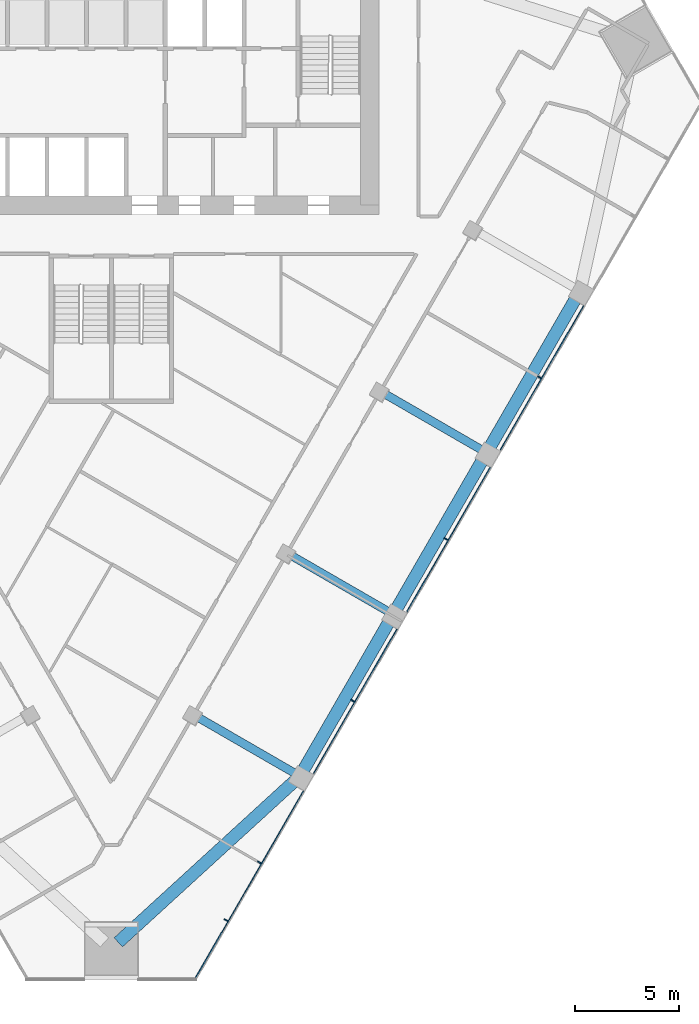
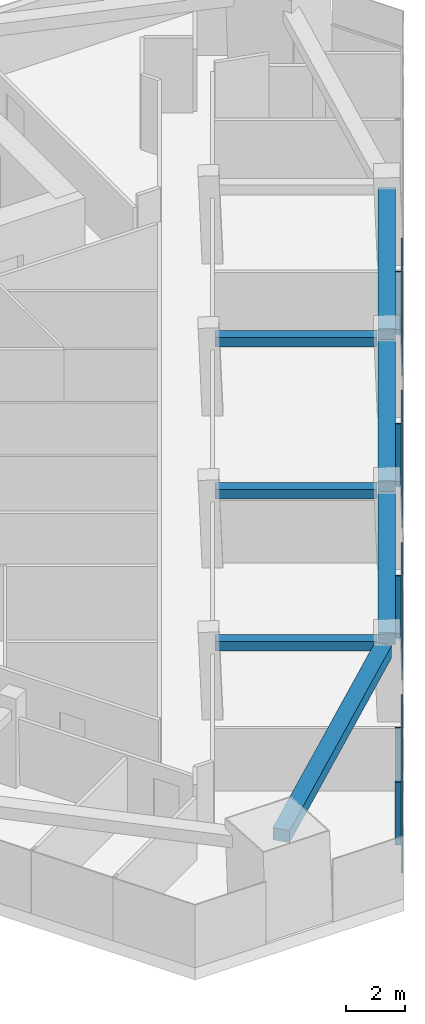
# One storey, part 4 of 14: 9 members, 7 beams, 1 element without a shape of its own.
"""IFC4 building model written with IfcOpenShell, lengths in metres."""

from ifc_helpers import new_model, si_unit, direction, frame, origin, origin_2d, place, context, subcontext, project, spatial, rectangle, extrude, material, layer, layer_set, material_profile, profile_set, type_object, element, aggregate, save


model = new_model("IFC4")

# Units and contexts
model_context = context("Model", 3, precision=1e-05, world=origin(), true_north=direction((0.0, 1.0)))
body_context = subcontext(model_context, "Body", "Model", "MODEL_VIEW")
ifc_project = project(units=[si_unit("LENGTHUNIT", "METRE"), si_unit("AREAUNIT", "SQUARE_METRE"), si_unit("VOLUMEUNIT", "CUBIC_METRE"), si_unit("PLANEANGLEUNIT", "RADIAN"), si_unit("MASSUNIT", "GRAM", prefix="KILO")], contexts=[model_context])

# Site, building, storey
site_placement = place(None, origin())
site = spatial("IfcSite", under=ifc_project, at=site_placement, CompositionType="ELEMENT")
building_placement = place(site_placement, origin())
building = spatial("IfcBuilding", under=site, at=building_placement, Name="Altiplano Prism Tower", CompositionType="ELEMENT")
storey_placement = place(building_placement, frame((0.0, 0.0, 111.60009765625)))
storey = spatial("IfcBuildingStorey", under=building, at=storey_placement, Name="L28", CompositionType="ELEMENT", Elevation=111.60009765625)

# Curtain wall, members
ifc_material_1 = material(Name="Aluminium and glass", Category="aluminium")
ifc_layer = layer(ifc_material_1, 0.303955078125)
ifc_layer_set = layer_set([ifc_layer], Name="Aluminium and glass")
curtain_wall_type = type_object("IfcCurtainWallType", Name="CW2 lounge-band unitised glazing", PredefinedType="NOTDEFINED", material=ifc_layer_set)
curtain_wall_placement = place(storey_placement, origin())
curtain_wall = element("IfcCurtainWall", 1, at=curtain_wall_placement, inside=storey, type_object=curtain_wall_type, Name="CW2 curtain wall south-east face L28", PredefinedType="NOTDEFINED")
ifc_material_2 = material(Name="Aluminium", Category="aluminium")
ifc_material_profile_1 = material_profile(ifc_material_2, rectangle(XDim=0.199951171875, YDim=0.06005859375, at=origin_2d()), Name="CW2 mullion 60 x 200")
ifc_profile_set_1 = profile_set([ifc_material_profile_1], Name="Aluminium")
member_type_1 = type_object("IfcMemberType", Name="CW2 mullion 60 x 200", PredefinedType="MULLION", material=ifc_profile_set_1)
member_1_placement = place(storey_placement, frame((90.5244140625, 58.488525390625, 0.0), z_axis=(0.0, 0.0, 1.0), x_axis=(-0.866025408698, 0.49999999149, 0.0)))
member_1 = element("IfcMember", 2, at=member_1_placement, type_object=member_type_1, Name="CW2 mullion", PredefinedType="MULLION", context=body_context, shape_type="SweptSolid", body=[
    extrude(rectangle(XDim=0.199951171875, YDim=0.06005859375, at=origin_2d()), origin(), (0.0, 0.0, 1.0), 2.599853515625),
])
member_2_placement = place(storey_placement, frame((92.130126953125, 61.269287109375, 0.0), z_axis=(0.0, 0.0, 1.0), x_axis=(-0.866025408698, 0.49999999149, 0.0)))
member_2 = element("IfcMember", 3, at=member_2_placement, type_object=member_type_1, Name="CW2 mullion", PredefinedType="MULLION", context=body_context, shape_type="SweptSolid", body=[
    extrude(rectangle(XDim=0.199951171875, YDim=0.06005859375, at=origin_2d()), origin(), (0.0, 0.0, 1.0), 2.599853515625),
])
member_3_placement = place(storey_placement, frame((96.630126953125, 69.063720703125, 0.0), z_axis=(0.0, 0.0, 1.0), x_axis=(-0.866025408698, 0.49999999149, 0.0)))
member_3 = element("IfcMember", 4, at=member_3_placement, type_object=member_type_1, Name="CW2 mullion", PredefinedType="MULLION", context=body_context, shape_type="SweptSolid", body=[
    extrude(rectangle(XDim=0.199951171875, YDim=0.06005859375, at=origin_2d()), origin(), (0.0, 0.0, 1.0), 2.599853515625),
])
member_4_placement = place(storey_placement, frame((101.130126953125, 76.85791015625, 0.0), z_axis=(0.0, 0.0, 1.0), x_axis=(-0.866025408698, 0.49999999149, 0.0)))
member_4 = element("IfcMember", 5, at=member_4_placement, type_object=member_type_1, Name="CW2 mullion", PredefinedType="MULLION", context=body_context, shape_type="SweptSolid", body=[
    extrude(rectangle(XDim=0.199951171875, YDim=0.06005859375, at=origin_2d()), origin(), (0.0, 0.0, 1.0), 2.599853515625),
])
member_5_placement = place(storey_placement, frame((105.630126953125, 84.652099609375, 0.0), z_axis=(0.0, 0.0, 1.0), x_axis=(-0.866025408698, 0.49999999149, 0.0)))
member_5 = element("IfcMember", 6, at=member_5_placement, type_object=member_type_1, Name="CW2 mullion", PredefinedType="MULLION", context=body_context, shape_type="SweptSolid", body=[
    extrude(rectangle(XDim=0.199951171875, YDim=0.06005859375, at=origin_2d()), origin(), (0.0, 0.0, 1.0), 2.599853515625),
])
ifc_material_profile_2 = material_profile(ifc_material_2, rectangle(XDim=0.06005859375, YDim=0.080078125, at=origin_2d()), Name="CW2 transom 80 x 60")
ifc_profile_set_2 = profile_set([ifc_material_profile_2], Name="Aluminium")
member_type_2 = type_object("IfcMemberType", Name="CW2 transom 80 x 60", PredefinedType="USERDEFINED", material=ifc_profile_set_2)
member_6_placement = place(storey_placement, frame((89.031494140625, 55.642578125, 1.099853515625), z_axis=(0.500005669834, 0.86602213028, 0.0), x_axis=(-0.86602213028, 0.500005669834, 0.0)))
member_6 = element("IfcMember", 7, at=member_6_placement, type_object=member_type_2, Name="CW2 transom", ObjectType="TRANSOM", PredefinedType="USERDEFINED", context=body_context, shape_type="SweptSolid", body=[
    extrude(rectangle(XDim=0.06005859375, YDim=0.080078125, at=origin_2d()), origin(), (0.0, 0.0, 1.0), 10.4716796875),
])
member_7_placement = place(storey_placement, frame((94.75732421875, 65.56005859375, 1.099853515625), z_axis=(0.500012318566, 0.86601829154, 0.0), x_axis=(-0.86601829154, 0.500012318566, 0.0)))
member_7 = element("IfcMember", 8, at=member_7_placement, type_object=member_type_2, Name="CW2 transom", ObjectType="TRANSOM", PredefinedType="USERDEFINED", context=body_context, shape_type="SweptSolid", body=[
    extrude(rectangle(XDim=0.06005859375, YDim=0.080078125, at=origin_2d()), origin(), (0.0, 0.0, 1.0), 8.019775390625),
])
member_8_placement = place(storey_placement, frame((99.25732421875, 73.354248046875, 1.099853515625), z_axis=(0.500012318566, 0.86601829154, 0.0), x_axis=(-0.86601829154, 0.500012318566, 0.0)))
member_8 = element("IfcMember", 9, at=member_8_placement, type_object=member_type_2, Name="CW2 transom", ObjectType="TRANSOM", PredefinedType="USERDEFINED", context=body_context, shape_type="SweptSolid", body=[
    extrude(rectangle(XDim=0.06005859375, YDim=0.080078125, at=origin_2d()), origin(), (0.0, 0.0, 1.0), 8.019775390625),
])
member_9_placement = place(storey_placement, frame((103.75732421875, 81.1484375, 1.099853515625), z_axis=(0.500012318566, 0.86601829154, 0.0), x_axis=(-0.86601829154, 0.500012318566, 0.0)))
member_9 = element("IfcMember", 10, at=member_9_placement, type_object=member_type_2, Name="CW2 transom", ObjectType="TRANSOM", PredefinedType="USERDEFINED", context=body_context, shape_type="SweptSolid", body=[
    extrude(rectangle(XDim=0.06005859375, YDim=0.080078125, at=origin_2d()), origin(), (0.0, 0.0, 1.0), 8.019775390625),
])
aggregate(curtain_wall, [member_1, member_2, member_6, member_3, member_7, member_4, member_8, member_5, member_9])

# Beams
ifc_material_3 = material(Name="Concrete C60/75", Category="concrete")
ifc_material_profile_3 = material_profile(ifc_material_3, rectangle(XDim=0.60009765625, YDim=0.5, at=origin_2d()), Name="Edge beam 600x500")
ifc_profile_set_3 = profile_set([ifc_material_profile_3], Name="Concrete C60/75")
beam_type_1 = type_object("IfcBeamType", Name="Edge beam 600x500", PredefinedType="SPANDREL", material=ifc_profile_set_3)
beam_placement = place(storey_placement, frame((85.33203125, 57.419677734375, 2.849853515625), z_axis=(0.737874614814, 0.674937814034, 0.0), x_axis=(-0.674937814034, 0.737874614814, 0.0)))
element("IfcBeam", 11, at=beam_placement, inside=storey, type_object=beam_type_1, Name="Edge beam M1-P21 L29", PredefinedType="SPANDREL", context=body_context, shape_type="SweptSolid", body=[
    extrude(rectangle(XDim=0.60009765625, YDim=0.5, at=origin_2d()), origin(), (0.0, 0.0, 1.0), 11.51318359375),
])
for number, where, z_axis, x_axis, name in (
    (12, (94.252197265625, 65.7138671875, 2.849853515625), (0.499992746786, 0.866029591389, 0.0), (-0.866029591389, 0.499992746786, 0.0), "Edge beam P21-P22 L29"),
    (13, (98.752197265625, 73.508056640625, 2.849853515625), (0.499992746786, 0.866029591389, 0.0), (-0.866029591389, 0.499992746786, 0.0), "Edge beam P22-P23 L29"),
    (14, (103.252197265625, 81.30224609375, 2.849853515625), (0.499992746786, 0.866029591389, 0.0), (-0.866029591389, 0.499992746786, 0.0), "Edge beam P23-P24 L29"),
):
    element("IfcBeam", number, at=place(storey_placement, frame(where, z_axis=z_axis, x_axis=x_axis)), inside=storey, type_object=beam_type_1, Name=name, PredefinedType="SPANDREL", context=body_context, shape_type="SweptSolid", body=[
        extrude(rectangle(XDim=0.60009765625, YDim=0.5, at=origin_2d()), origin(), (0.0, 0.0, 1.0), 8.33984375),
    ])
ifc_material_profile_4 = material_profile(ifc_material_3, rectangle(XDim=0.39990234375, YDim=0.39990234375, at=origin_2d()), Name="Tie beam 400x400")
ifc_profile_set_4 = profile_set([ifc_material_profile_4], Name="Concrete C60/75")
beam_type_2 = type_object("IfcBeamType", Name="Tie beam 400x400", PredefinedType="BEAM", material=ifc_profile_set_4)
for number, where, z_axis, x_axis, name in (
    (15, (89.046875, 68.338134765625, 2.89990234375), (0.866012292785, -0.50002270823, 0.0), (0.50002270823, 0.866012292785, 0.0), "Tie beam I21 L29"),
    (16, (93.546875, 76.13232421875, 2.89990234375), (0.866012292785, -0.50002270823, 0.0), (0.50002270823, 0.866012292785, 0.0), "Tie beam I22 L29"),
    (17, (98.046875, 83.926513671875, 2.89990234375), (0.866012292785, -0.50002270823, 0.0), (0.50002270823, 0.866012292785, 0.0), "Tie beam I23 L29"),
):
    element("IfcBeam", number, at=place(storey_placement, frame(where, z_axis=z_axis, x_axis=x_axis)), inside=storey, type_object=beam_type_2, Name=name, PredefinedType="BEAM", context=body_context, shape_type="SweptSolid", body=[
        extrude(rectangle(XDim=0.39990234375, YDim=0.39990234375, at=origin_2d()), origin(), (0.0, 0.0, 1.0), 5.489990234375),
    ])

save(model, "model.ifc")
